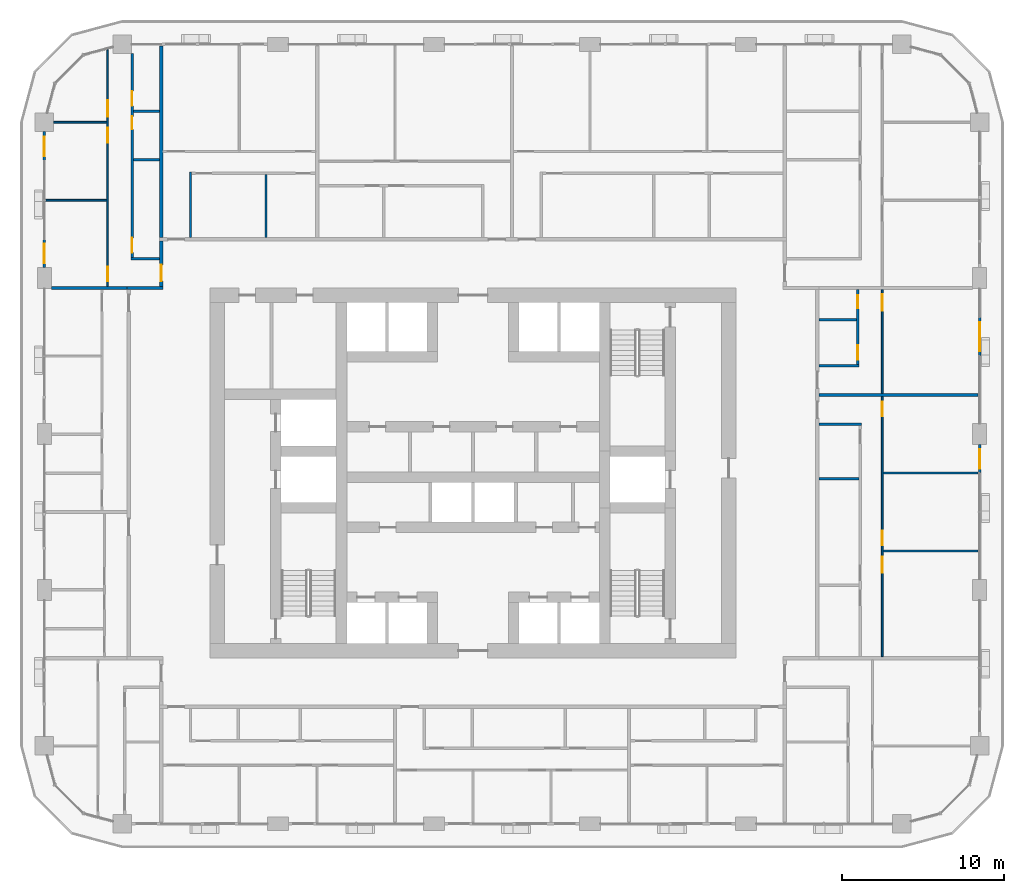
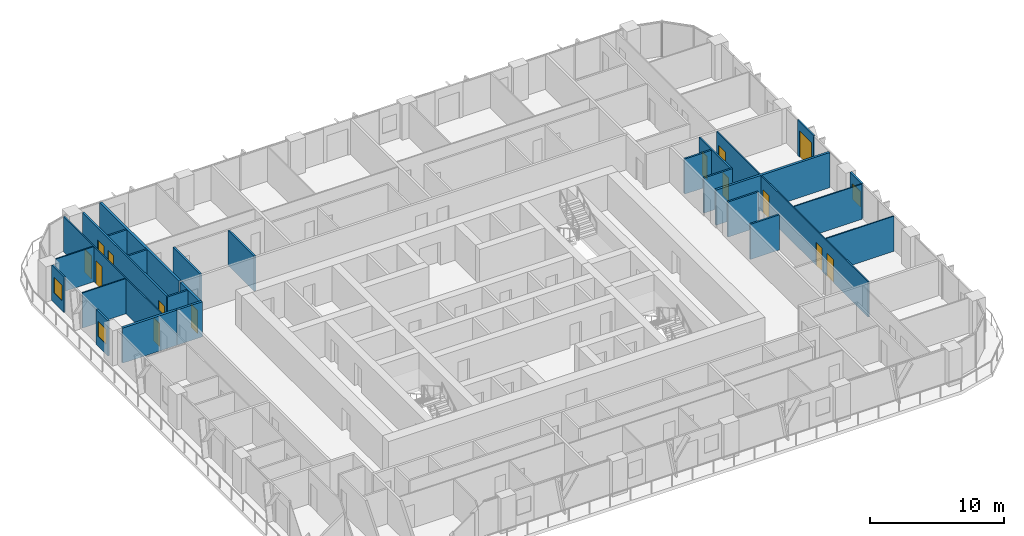
# One storey, part 13 of 22: 27 walls, 14 doors, 3 windows, 17 openings.
"""IFC4 building model written with IfcOpenShell, lengths in metres."""

from ifc_helpers import new_model, si_unit, direction, frame, frame_2d, origin, place, context, subcontext, project, spatial, rectangle, extrude, material, layer, layer_set, type_object, element, fill, save


model = new_model("IFC4")

# Units and contexts
model_context = context("Model", 3, precision=1e-05, world=origin(), true_north=direction((0.0, 1.0)))
body_context = subcontext(model_context, "Body", "Model", "MODEL_VIEW")
ifc_project = project(units=[si_unit("LENGTHUNIT", "METRE"), si_unit("AREAUNIT", "SQUARE_METRE"), si_unit("VOLUMEUNIT", "CUBIC_METRE"), si_unit("PLANEANGLEUNIT", "RADIAN"), si_unit("MASSUNIT", "GRAM", prefix="KILO")], contexts=[model_context])

# Site, building, storey
site_placement = place(None, origin())
site = spatial("IfcSite", under=ifc_project, at=site_placement, CompositionType="ELEMENT")
building_placement = place(site_placement, origin())
building = spatial("IfcBuilding", under=site, at=building_placement, Name="Madar Terraces", CompositionType="ELEMENT")
storey_placement = place(building_placement, frame((0.0, 0.0, 103.199951171875)))
storey = spatial("IfcBuildingStorey", under=building, at=storey_placement, Name="L26", CompositionType="ELEMENT", Elevation=103.199951171875)

# Wall, opening, window
ifc_material_1 = material(Name="Aluminium composite panel, black, over insulated backing", Category="aluminium")
ifc_layer_1 = layer(ifc_material_1, 0.14990234375)
ifc_layer_set_1 = layer_set([ifc_layer_1], Name="Facade bay panel 150")
wall_type_1 = type_object("IfcWallType", Name="Facade bay panel 150", PredefinedType="SOLIDWALL", material=ifc_layer_set_1)
wall_1_placement = place(storey_placement, frame((62.39990234375, 26.39990234375, 0.0), z_axis=(0.0, 0.0, 1.0), x_axis=(0.0, 1.0, 0.0)))
wall_1 = element("IfcWall", 1, at=wall_1_placement, inside=storey, type_object=wall_type_1, Name="Facade bay panel", PredefinedType="SOLIDWALL", context=body_context, shape_type="SweptSolid", body=[
    extrude(rectangle(XDim=1.75, YDim=0.14990234375, at=frame_2d((0.875, 0.0))), origin(), (0.0, 0.0, 1.0), 3.199951171875),
])
opening_1_placement = place(wall_1_placement, frame((0.27490234375, 0.0, 0.89990234375)))
opening_1 = element("IfcOpeningElement", 2, at=opening_1_placement, cuts=wall_1, Name="Opening W1", PredefinedType="OPENING", context=body_context, shape_type="SweptSolid", body=[
    extrude(rectangle(XDim=1.199951171875, YDim=1.39990234375, at=frame_2d((0.60009765625, 0.699951171875))), frame((0.0, 0.0849609375, 0.0), z_axis=(0.0, -1.0, 0.0), x_axis=(1.0, 0.0, 0.0)), (0.0, 0.0, 1.0), 0.169921875),
])
ifc_material_2 = material(Name="Glass, clear, with black aluminium frame", Category="aluminium")
window_type = type_object("IfcWindowType", Name="Vent window 1200 x 1400", PartitioningType="SINGLE_PANEL", PredefinedType="WINDOW", material=ifc_material_2)
window_1_placement = place(opening_1_placement, origin())
window_1 = element("IfcWindow", 3, at=window_1_placement, inside=storey, type_object=window_type, Name="Operable vent window", OverallHeight=1.39990234375, OverallWidth=1.199951171875, PartitioningType="SINGLE_PANEL", PredefinedType="WINDOW", context=body_context, shape_type="SweptSolid", body=[
    extrude(rectangle(XDim=1.199951171875, YDim=1.39990234375, at=frame_2d((0.60009765625, 0.699951171875))), frame((0.0, 0.030029296875, 0.0), z_axis=(0.0, -1.0, 0.0), x_axis=(1.0, 0.0, 0.0)), (0.0, 0.0, 1.0), 0.06005859375),
])
fill(opening_1, window_1)

# Wall, opening, door
wall_2_placement = place(storey_placement, frame((62.39990234375, 33.60009765625, 0.0), z_axis=(0.0, 0.0, 1.0), x_axis=(0.0, 1.0, 0.0)))
wall_2 = element("IfcWall", 4, at=wall_2_placement, inside=storey, type_object=wall_type_1, Name="Facade bay panel", PredefinedType="SOLIDWALL", context=body_context, shape_type="SweptSolid", body=[
    extrude(rectangle(XDim=2.39990234375, YDim=0.14990234375, at=frame_2d((1.199951171875, 0.0))), origin(), (0.0, 0.0, 1.0), 3.199951171875),
])
opening_2_placement = place(wall_2_placement, frame((0.300048828125, 0.0, 0.0)))
opening_2 = element("IfcOpeningElement", 5, at=opening_2_placement, cuts=wall_2, Name="Opening ED1", PredefinedType="OPENING", context=body_context, shape_type="SweptSolid", body=[
    extrude(rectangle(XDim=1.800048828125, YDim=2.39990234375, at=frame_2d((0.89990234375, 1.199951171875))), frame((0.0, 0.0849609375, 0.0), z_axis=(0.0, -1.0, 0.0), x_axis=(1.0, 0.0, 0.0)), (0.0, 0.0, 1.0), 0.169921875),
])
ifc_material_3 = material(Name="Glass, clear, with black aluminium frame", Category="aluminium")
door_type_1 = type_object("IfcDoorType", Name="Balcony and terrace sliding door 1800 x 2400", OperationType="SLIDING_TO_LEFT", PredefinedType="DOOR", material=ifc_material_3)
door_1_placement = place(opening_2_placement, origin())
door_1 = element("IfcDoor", 6, at=door_1_placement, inside=storey, type_object=door_type_1, Name="Balcony door", OperationType="SLIDING_TO_RIGHT", OverallHeight=2.39990234375, OverallWidth=1.800048828125, PredefinedType="DOOR", context=body_context, shape_type="SweptSolid", body=[
    extrude(rectangle(XDim=1.800048828125, YDim=2.39990234375, at=frame_2d((0.89990234375, 1.199951171875))), frame((0.0, 0.02490234375, 0.0), z_axis=(0.0, -1.0, 0.0), x_axis=(1.0, 0.0, 0.0)), (0.0, 0.0, 1.0), 0.050048828125),
])
fill(opening_2, door_1)

# Wall, opening, window
wall_3_placement = place(storey_placement, frame((4.800048828125, 47.425048828125, 0.0), z_axis=(0.0, 0.0, 1.0), x_axis=(0.0, -1.0, 0.0)))
wall_3 = element("IfcWall", 7, at=wall_3_placement, inside=storey, type_object=wall_type_1, Name="Facade bay panel", PredefinedType="SOLIDWALL", context=body_context, shape_type="SweptSolid", body=[
    extrude(rectangle(XDim=1.824951171875, YDim=0.14990234375, at=frame_2d((0.91259765625, 0.0))), origin(), (0.0, 0.0, 1.0), 3.199951171875),
])
opening_3_placement = place(wall_3_placement, frame((0.3125, 0.0, 0.89990234375)))
opening_3 = element("IfcOpeningElement", 8, at=opening_3_placement, cuts=wall_3, Name="Opening W1", PredefinedType="OPENING", context=body_context, shape_type="SweptSolid", body=[
    extrude(rectangle(XDim=1.199951171875, YDim=1.39990234375, at=frame_2d((0.60009765625, 0.699951171875))), frame((0.0, 0.0849609375, 0.0), z_axis=(0.0, -1.0, 0.0), x_axis=(1.0, 0.0, 0.0)), (0.0, 0.0, 1.0), 0.169921875),
])
window_2_placement = place(opening_3_placement, origin())
window_2 = element("IfcWindow", 9, at=window_2_placement, inside=storey, type_object=window_type, Name="Operable vent window", OverallHeight=1.39990234375, OverallWidth=1.199951171875, PartitioningType="SINGLE_PANEL", PredefinedType="WINDOW", context=body_context, shape_type="SweptSolid", body=[
    extrude(rectangle(XDim=1.199951171875, YDim=1.39990234375, at=frame_2d((0.60009765625, 0.699951171875))), frame((0.0, 0.030029296875, 0.0), z_axis=(0.0, -1.0, 0.0), x_axis=(1.0, 0.0, 0.0)), (0.0, 0.0, 1.0), 0.06005859375),
])
fill(opening_3, window_2)

wall_4_placement = place(storey_placement, frame((4.800048828125, 40.800048828125, 0.0), z_axis=(0.0, 0.0, 1.0), x_axis=(0.0, -1.0, 0.0)))
wall_4 = element("IfcWall", 10, at=wall_4_placement, inside=storey, type_object=wall_type_1, Name="Facade bay panel", PredefinedType="SOLIDWALL", context=body_context, shape_type="SweptSolid", body=[
    extrude(rectangle(XDim=1.75, YDim=0.14990234375, at=frame_2d((0.875, 0.0))), origin(), (0.0, 0.0, 1.0), 3.199951171875),
])
opening_4_placement = place(wall_4_placement, frame((0.27490234375, 0.0, 0.89990234375)))
opening_4 = element("IfcOpeningElement", 11, at=opening_4_placement, cuts=wall_4, Name="Opening W1", PredefinedType="OPENING", context=body_context, shape_type="SweptSolid", body=[
    extrude(rectangle(XDim=1.199951171875, YDim=1.39990234375, at=frame_2d((0.60009765625, 0.699951171875))), frame((0.0, 0.0849609375, 0.0), z_axis=(0.0, -1.0, 0.0), x_axis=(1.0, 0.0, 0.0)), (0.0, 0.0, 1.0), 0.169921875),
])
window_3_placement = place(opening_4_placement, origin())
window_3 = element("IfcWindow", 12, at=window_3_placement, inside=storey, type_object=window_type, Name="Operable vent window", OverallHeight=1.39990234375, OverallWidth=1.199951171875, PartitioningType="SINGLE_PANEL", PredefinedType="WINDOW", context=body_context, shape_type="SweptSolid", body=[
    extrude(rectangle(XDim=1.199951171875, YDim=1.39990234375, at=frame_2d((0.60009765625, 0.699951171875))), frame((0.0, 0.030029296875, 0.0), z_axis=(0.0, -1.0, 0.0), x_axis=(1.0, 0.0, 0.0)), (0.0, 0.0, 1.0), 0.06005859375),
])
fill(opening_4, window_3)

# Walls
ifc_material_4 = material(Name="Gypsum board on steel studs", Category="steel")
ifc_layer_2 = layer(ifc_material_4, 0.10009765625)
ifc_layer_set_2 = layer_set([ifc_layer_2], Name="Flat partition 100")
wall_type_2 = type_object("IfcWallType", Name="Flat partition 100", PredefinedType="PARTITIONING", material=ifc_layer_set_2)
for number, where, z_axis, x_axis, name in (
    (13, (56.449951171875, 26.39990234375, 0.0), (0.0, 0.0, 1.0), (1.0, 0.0, 0.0), "Flat partition 100"),
    (14, (56.449951171875, 21.60009765625, 0.0), (0.0, 0.0, 1.0), (1.0, 0.0, 0.0), "Flat partition 100"),
):
    element("IfcWall", number, at=place(storey_placement, frame(where, z_axis=z_axis, x_axis=x_axis)), inside=storey, type_object=wall_type_2, Name=name, PredefinedType="PARTITIONING", context=body_context, shape_type="SweptSolid", body=[
        extrude(rectangle(XDim=5.85009765625, YDim=0.10009765625, at=frame_2d((2.925048828125, 0.0))), origin(), (0.0, 0.0, 1.0), 3.199951171875),
    ])

# Wall, openings, doors
wall_5_placement = place(storey_placement, frame((56.39990234375, 31.10009765625, 0.0), z_axis=(0.0, 0.0, 1.0), x_axis=(0.0, -1.0, 0.0)))
wall_5 = element("IfcWall", 15, at=wall_5_placement, inside=storey, type_object=wall_type_2, Name="Flat partition 100", PredefinedType="PARTITIONING", context=body_context, shape_type="SweptSolid", body=[
    extrude(rectangle(XDim=16.0, YDim=0.10009765625, at=frame_2d((8.0, 0.0))), origin(), (0.0, 0.0, 1.0), 3.199951171875),
])
opening_5_placement = place(wall_5_placement, frame((0.300048828125, 0.0, 0.0)))
opening_5 = element("IfcOpeningElement", 16, at=opening_5_placement, cuts=wall_5, Name="Opening D2", PredefinedType="OPENING", context=body_context, shape_type="SweptSolid", body=[
    extrude(rectangle(XDim=0.89990234375, YDim=2.10009765625, at=frame_2d((0.449951171875, 1.050048828125))), frame((0.0, 0.06005859375, 0.0), z_axis=(0.0, -1.0, 0.0), x_axis=(1.0, 0.0, 0.0)), (0.0, 0.0, 1.0), 0.1201171875),
])
opening_6_placement = place(wall_5_placement, frame((8.25, 0.0, 0.0)))
opening_6 = element("IfcOpeningElement", 17, at=opening_6_placement, cuts=wall_5, Name="Opening D2", PredefinedType="OPENING", context=body_context, shape_type="SweptSolid", body=[
    extrude(rectangle(XDim=0.89990234375, YDim=2.10009765625, at=frame_2d((0.449951171875, 1.050048828125))), frame((0.0, 0.06005859375, 0.0), z_axis=(0.0, -1.0, 0.0), x_axis=(1.0, 0.0, 0.0)), (0.0, 0.0, 1.0), 0.1201171875),
])
opening_7_placement = place(wall_5_placement, frame((9.85009765625, 0.0, 0.0)))
opening_7 = element("IfcOpeningElement", 18, at=opening_7_placement, cuts=wall_5, Name="Opening D3", PredefinedType="OPENING", context=body_context, shape_type="SweptSolid", body=[
    extrude(rectangle(XDim=1.0, YDim=2.10009765625, at=frame_2d((0.5, 1.050048828125))), frame((0.0, 0.06005859375, 0.0), z_axis=(0.0, -1.0, 0.0), x_axis=(1.0, 0.0, 0.0)), (0.0, 0.0, 1.0), 0.1201171875),
])
ifc_material_5 = material(Name="Timber door leaf", Category="wood")
door_type_2 = type_object("IfcDoorType", Name="Flat living room door 1000", OperationType="NOTDEFINED", PredefinedType="DOOR", material=ifc_material_5)
door_2_placement = place(opening_7_placement, origin())
door_2 = element("IfcDoor", 19, at=door_2_placement, inside=storey, type_object=door_type_2, Name="Flat living room door 1000", OperationType="SINGLE_SWING_LEFT", OverallHeight=2.10009765625, OverallWidth=1.0, PredefinedType="DOOR", context=body_context, shape_type="SweptSolid", body=[
    extrude(rectangle(XDim=1.0, YDim=2.10009765625, at=frame_2d((0.5, 1.050048828125))), frame((0.0, 0.02490234375, 0.0), z_axis=(0.0, -1.0, 0.0), x_axis=(1.0, 0.0, 0.0)), (0.0, 0.0, 1.0), 0.050048828125),
])
fill(opening_7, door_2)
ifc_material_6 = material(Name="Timber door leaf", Category="wood")
door_type_3 = type_object("IfcDoorType", Name="Flat room door 900", OperationType="NOTDEFINED", PredefinedType="DOOR", material=ifc_material_6)
door_3_placement = place(opening_5_placement, origin())
door_3 = element("IfcDoor", 20, at=door_3_placement, inside=storey, type_object=door_type_3, Name="Flat room door 900", OperationType="SINGLE_SWING_LEFT", OverallHeight=2.10009765625, OverallWidth=0.89990234375, PredefinedType="DOOR", context=body_context, shape_type="SweptSolid", body=[
    extrude(rectangle(XDim=0.89990234375, YDim=2.10009765625, at=frame_2d((0.449951171875, 1.050048828125))), frame((0.0, 0.02490234375, 0.0), z_axis=(0.0, -1.0, 0.0), x_axis=(1.0, 0.0, 0.0)), (0.0, 0.0, 1.0), 0.050048828125),
])
fill(opening_5, door_3)
door_4_placement = place(opening_6_placement, origin())
door_4 = element("IfcDoor", 21, at=door_4_placement, inside=storey, type_object=door_type_3, Name="Flat room door 900", OperationType="SINGLE_SWING_RIGHT", OverallHeight=2.10009765625, OverallWidth=0.89990234375, PredefinedType="DOOR", context=body_context, shape_type="SweptSolid", body=[
    extrude(rectangle(XDim=0.89990234375, YDim=2.10009765625, at=frame_2d((0.449951171875, 1.050048828125))), frame((0.0, 0.02490234375, 0.0), z_axis=(0.0, -1.0, 0.0), x_axis=(1.0, 0.0, 0.0)), (0.0, 0.0, 1.0), 0.050048828125),
])
fill(opening_6, door_4)

# Wall, opening, door
wall_6_placement = place(storey_placement, frame((56.39990234375, 37.699951171875, 0.0), z_axis=(0.0, 0.0, 1.0), x_axis=(0.0, -1.0, 0.0)))
wall_6 = element("IfcWall", 22, at=wall_6_placement, inside=storey, type_object=wall_type_2, Name="Flat partition 100", PredefinedType="PARTITIONING", context=body_context, shape_type="SweptSolid", body=[
    extrude(rectangle(XDim=6.39990234375, YDim=0.10009765625, at=frame_2d((3.199951171875, 0.0))), origin(), (0.0, 0.0, 1.0), 3.199951171875),
])
opening_8_placement = place(wall_6_placement, frame((0.300048828125, 0.0, 0.0)))
opening_8 = element("IfcOpeningElement", 23, at=opening_8_placement, cuts=wall_6, Name="Opening D3", PredefinedType="OPENING", context=body_context, shape_type="SweptSolid", body=[
    extrude(rectangle(XDim=1.0, YDim=2.10009765625, at=frame_2d((0.5, 1.050048828125))), frame((0.0, 0.06005859375, 0.0), z_axis=(0.0, -1.0, 0.0), x_axis=(1.0, 0.0, 0.0)), (0.0, 0.0, 1.0), 0.1201171875),
])
door_5_placement = place(opening_8_placement, origin())
door_5 = element("IfcDoor", 24, at=door_5_placement, inside=storey, type_object=door_type_2, Name="Flat living room door 1000", OperationType="SINGLE_SWING_LEFT", OverallHeight=2.10009765625, OverallWidth=1.0, PredefinedType="DOOR", context=body_context, shape_type="SweptSolid", body=[
    extrude(rectangle(XDim=1.0, YDim=2.10009765625, at=frame_2d((0.5, 1.050048828125))), frame((0.0, 0.02490234375, 0.0), z_axis=(0.0, -1.0, 0.0), x_axis=(1.0, 0.0, 0.0)), (0.0, 0.0, 1.0), 0.050048828125),
])
fill(opening_8, door_5)

# Walls
wall_7_placement = place(storey_placement, frame((8.64990234375, 43.199951171875, 0.0), z_axis=(0.0, 0.0, 1.0), x_axis=(-1.0, 0.0, 0.0)))
element("IfcWall", 25, at=wall_7_placement, inside=storey, type_object=wall_type_2, Name="Flat partition 100", PredefinedType="PARTITIONING", context=body_context, shape_type="SweptSolid", body=[
    extrude(rectangle(XDim=3.75, YDim=0.10009765625, at=frame_2d((1.875, 0.0))), origin(), (0.0, 0.0, 1.0), 3.199951171875),
])
wall_8_placement = place(storey_placement, frame((8.64990234375, 48.0, 0.0), z_axis=(0.0, 0.0, 1.0), x_axis=(-1.0, 0.0, 0.0)))
element("IfcWall", 26, at=wall_8_placement, inside=storey, type_object=wall_type_2, Name="Flat partition 100", PredefinedType="PARTITIONING", context=body_context, shape_type="SweptSolid", body=[
    extrude(rectangle(XDim=3.27490234375, YDim=0.10009765625, at=frame_2d((1.637451171875, 0.0))), origin(), (0.0, 0.0, 1.0), 3.199951171875),
])

# Wall, openings, doors
wall_9_placement = place(storey_placement, frame((8.699951171875, 37.89990234375, 0.0), z_axis=(0.0, 0.0, 1.0), x_axis=(0.0, 1.0, 0.0)))
wall_9 = element("IfcWall", 27, at=wall_9_placement, inside=storey, type_object=wall_type_2, Name="Flat partition 100", PredefinedType="PARTITIONING", context=body_context, shape_type="SweptSolid", body=[
    extrude(rectangle(XDim=14.558837890625, YDim=0.10009765625, at=frame_2d((7.279296875, 0.0))), origin(), (0.0, 0.0, 1.0), 3.199951171875),
])
opening_9_placement = place(wall_9_placement, frame((0.300048828125, 0.0, 0.0)))
opening_9 = element("IfcOpeningElement", 28, at=opening_9_placement, cuts=wall_9, Name="Opening D2", PredefinedType="OPENING", context=body_context, shape_type="SweptSolid", body=[
    extrude(rectangle(XDim=0.89990234375, YDim=2.10009765625, at=frame_2d((0.449951171875, 1.050048828125))), frame((0.0, 0.06005859375, 0.0), z_axis=(0.0, -1.0, 0.0), x_axis=(1.0, 0.0, 0.0)), (0.0, 0.0, 1.0), 0.1201171875),
])
opening_10_placement = place(wall_9_placement, frame((8.85009765625, 0.0, 0.0)))
opening_10 = element("IfcOpeningElement", 29, at=opening_10_placement, cuts=wall_9, Name="Opening D2", PredefinedType="OPENING", context=body_context, shape_type="SweptSolid", body=[
    extrude(rectangle(XDim=0.89990234375, YDim=2.10009765625, at=frame_2d((0.449951171875, 1.050048828125))), frame((0.0, 0.06005859375, 0.0), z_axis=(0.0, -1.0, 0.0), x_axis=(1.0, 0.0, 0.0)), (0.0, 0.0, 1.0), 0.1201171875),
])
opening_11_placement = place(wall_9_placement, frame((10.449951171875, 0.0, 0.0)))
opening_11 = element("IfcOpeningElement", 30, at=opening_11_placement, cuts=wall_9, Name="Opening D3", PredefinedType="OPENING", context=body_context, shape_type="SweptSolid", body=[
    extrude(rectangle(XDim=1.0, YDim=2.10009765625, at=frame_2d((0.5, 1.050048828125))), frame((0.0, 0.06005859375, 0.0), z_axis=(0.0, -1.0, 0.0), x_axis=(1.0, 0.0, 0.0)), (0.0, 0.0, 1.0), 0.1201171875),
])
door_6_placement = place(opening_11_placement, origin())
door_6 = element("IfcDoor", 31, at=door_6_placement, inside=storey, type_object=door_type_2, Name="Flat living room door 1000", OperationType="SINGLE_SWING_LEFT", OverallHeight=2.10009765625, OverallWidth=1.0, PredefinedType="DOOR", context=body_context, shape_type="SweptSolid", body=[
    extrude(rectangle(XDim=1.0, YDim=2.10009765625, at=frame_2d((0.5, 1.050048828125))), frame((0.0, 0.02490234375, 0.0), z_axis=(0.0, -1.0, 0.0), x_axis=(1.0, 0.0, 0.0)), (0.0, 0.0, 1.0), 0.050048828125),
])
fill(opening_11, door_6)
door_7_placement = place(opening_9_placement, origin())
door_7 = element("IfcDoor", 32, at=door_7_placement, inside=storey, type_object=door_type_3, Name="Flat room door 900", OperationType="SINGLE_SWING_LEFT", OverallHeight=2.10009765625, OverallWidth=0.89990234375, PredefinedType="DOOR", context=body_context, shape_type="SweptSolid", body=[
    extrude(rectangle(XDim=0.89990234375, YDim=2.10009765625, at=frame_2d((0.449951171875, 1.050048828125))), frame((0.0, 0.02490234375, 0.0), z_axis=(0.0, -1.0, 0.0), x_axis=(1.0, 0.0, 0.0)), (0.0, 0.0, 1.0), 0.050048828125),
])
fill(opening_9, door_7)
door_8_placement = place(opening_10_placement, origin())
door_8 = element("IfcDoor", 33, at=door_8_placement, inside=storey, type_object=door_type_3, Name="Flat room door 900", OperationType="SINGLE_SWING_RIGHT", OverallHeight=2.10009765625, OverallWidth=0.89990234375, PredefinedType="DOOR", context=body_context, shape_type="SweptSolid", body=[
    extrude(rectangle(XDim=0.89990234375, YDim=2.10009765625, at=frame_2d((0.449951171875, 1.050048828125))), frame((0.0, 0.02490234375, 0.0), z_axis=(0.0, -1.0, 0.0), x_axis=(1.0, 0.0, 0.0)), (0.0, 0.0, 1.0), 0.050048828125),
])
fill(opening_10, door_8)

# Wall, opening, door
ifc_material_7 = material(Name="Lightweight blockwork", Category="masonry")
ifc_layer_3 = layer(ifc_material_7, 0.199951171875)
ifc_layer_set_3 = layer_set([ifc_layer_3], Name="Flat party and entrance wall 200")
wall_type_3 = type_object("IfcWallType", Name="Flat party and entrance wall 200", PredefinedType="PARTITIONING", material=ifc_layer_set_3)
wall_10_placement = place(storey_placement, frame((12.0, 37.89990234375, 0.0), z_axis=(0.0, 0.0, 1.0), x_axis=(0.0, 1.0, 0.0)))
wall_10 = element("IfcWall", 34, at=wall_10_placement, inside=storey, type_object=wall_type_3, Name="Flat party and entrance wall 200", PredefinedType="PARTITIONING", context=body_context, shape_type="SweptSolid", body=[
    extrude(rectangle(XDim=2.800048828125, YDim=0.199951171875, at=frame_2d((1.39990234375, 0.0))), origin(), (0.0, 0.0, 1.0), 3.199951171875),
])
opening_12_placement = place(wall_10_placement, frame((0.324951171875, 0.0, 0.0)))
opening_12 = element("IfcOpeningElement", 35, at=opening_12_placement, cuts=wall_10, Name="Opening D1", PredefinedType="OPENING", context=body_context, shape_type="SweptSolid", body=[
    extrude(rectangle(XDim=1.0, YDim=2.10009765625, at=frame_2d((0.5, 1.050048828125))), frame((0.0, 0.10986328125, 0.0), z_axis=(0.0, -1.0, 0.0), x_axis=(1.0, 0.0, 0.0)), (0.0, 0.0, 1.0), 0.219970703125),
])
ifc_material_8 = material(Name="Timber fire door leaf", Category="wood")
door_type_4 = type_object("IfcDoorType", Name="Flat entrance door 1000 FD30S", OperationType="NOTDEFINED", PredefinedType="DOOR", material=ifc_material_8)
door_9_placement = place(opening_12_placement, origin())
door_9 = element("IfcDoor", 36, at=door_9_placement, inside=storey, type_object=door_type_4, Name="Flat entrance door 1000 FD30S", OperationType="SINGLE_SWING_LEFT", OverallHeight=2.10009765625, OverallWidth=1.0, PredefinedType="DOOR", context=body_context, shape_type="SweptSolid", body=[
    extrude(rectangle(XDim=1.0, YDim=2.10009765625, at=frame_2d((0.5, 1.050048828125))), frame((0.0, 0.02490234375, 0.0), z_axis=(0.0, -1.0, 0.0), x_axis=(1.0, 0.0, 0.0)), (0.0, 0.0, 1.0), 0.050048828125),
])
fill(opening_12, door_9)

# Walls
wall_11_placement = place(storey_placement, frame((12.10009765625, 37.800048828125, 0.0), z_axis=(0.0, 0.0, 1.0), x_axis=(-1.0, 0.0, 0.0)))
element("IfcWall", 37, at=wall_11_placement, inside=storey, type_object=wall_type_3, Name="Flat party and entrance wall 200", PredefinedType="PARTITIONING", context=body_context, shape_type="SweptSolid", body=[
    extrude(rectangle(XDim=2.2001953125, YDim=0.199951171875, at=frame_2d((1.10009765625, 0.0))), origin(), (0.0, 0.0, 1.0), 3.199951171875),
])
wall_12_placement = place(storey_placement, frame((52.5, 31.199951171875, 0.0), z_axis=(0.0, 0.0, 1.0), x_axis=(1.0, 0.0, 0.0)))
element("IfcWall", 38, at=wall_12_placement, inside=storey, type_object=wall_type_3, Name="Flat party and entrance wall 200", PredefinedType="PARTITIONING", context=body_context, shape_type="SweptSolid", body=[
    extrude(rectangle(XDim=9.800048828125, YDim=0.199951171875, at=frame_2d((4.89990234375, 0.0))), origin(), (0.0, 0.0, 1.0), 3.199951171875),
])
wall_13_placement = place(storey_placement, frame((12.0, 52.699951171875, 0.0), z_axis=(0.0, 0.0, 1.0), x_axis=(0.0, -1.0, 0.0)))
element("IfcWall", 39, at=wall_13_placement, inside=storey, type_object=wall_type_3, Name="Flat party and entrance wall 200", PredefinedType="PARTITIONING", context=body_context, shape_type="SweptSolid", body=[
    extrude(rectangle(XDim=11.800048828125, YDim=0.199951171875, at=frame_2d((5.89990234375, 0.0))), origin(), (0.0, 0.0, 1.0), 3.199951171875),
])
wall_14_placement = place(storey_placement, frame((5.22509765625, 37.800048828125, 0.0), z_axis=(0.0, 0.0, 1.0), x_axis=(1.0, 0.0, 0.0)))
element("IfcWall", 40, at=wall_14_placement, inside=storey, type_object=wall_type_3, Name="Flat party and entrance wall 200", PredefinedType="PARTITIONING", context=body_context, shape_type="SweptSolid", body=[
    extrude(rectangle(XDim=4.6748046875, YDim=0.199951171875, at=frame_2d((2.33740234375, 0.0))), origin(), (0.0, 0.0, 1.0), 3.199951171875),
])
ifc_material_9 = material(Name="Lightweight blockwork", Category="masonry")
ifc_layer_4 = layer(ifc_material_9, 0.14990234375)
ifc_layer_set_4 = layer_set([ifc_layer_4], Name="Flat wet-room partition 150")
wall_type_4 = type_object("IfcWallType", Name="Flat wet-room partition 150", PredefinedType="PARTITIONING", material=ifc_layer_set_4)
wall_15_placement = place(storey_placement, frame((52.5, 26.042236328125, 0.0), z_axis=(0.0, 0.0, 1.0), x_axis=(1.0, 0.0, 0.0)))
element("IfcWall", 41, at=wall_15_placement, inside=storey, type_object=wall_type_4, Name="Flat wet-room partition 150", PredefinedType="PARTITIONING", context=body_context, shape_type="SweptSolid", body=[
    extrude(rectangle(XDim=2.47509765625, YDim=0.14990234375, at=frame_2d((1.237548828125, 0.0))), origin(), (0.0, 0.0, 1.0), 3.199951171875),
])
wall_16_placement = place(storey_placement, frame((52.5, 29.39990234375, 0.0), z_axis=(0.0, 0.0, 1.0), x_axis=(1.0, 0.0, 0.0)))
element("IfcWall", 42, at=wall_16_placement, inside=storey, type_object=wall_type_4, Name="Flat wet-room partition 150", PredefinedType="PARTITIONING", context=body_context, shape_type="SweptSolid", body=[
    extrude(rectangle(XDim=2.625, YDim=0.14990234375, at=frame_2d((1.3125, 0.0))), origin(), (0.0, 0.0, 1.0), 3.199951171875),
])
wall_17_placement = place(storey_placement, frame((52.5, 35.85009765625, 0.0), z_axis=(0.0, 0.0, 1.0), x_axis=(1.0, 0.0, 0.0)))
element("IfcWall", 43, at=wall_17_placement, inside=storey, type_object=wall_type_4, Name="Flat wet-room partition 150", PredefinedType="PARTITIONING", context=body_context, shape_type="SweptSolid", body=[
    extrude(rectangle(XDim=2.324951171875, YDim=0.14990234375, at=frame_2d((1.16259765625, 0.0))), origin(), (0.0, 0.0, 1.0), 3.199951171875),
])
wall_18_placement = place(storey_placement, frame((52.5, 33.0, 0.0), z_axis=(0.0, 0.0, 1.0), x_axis=(1.0, 0.0, 0.0)))
element("IfcWall", 44, at=wall_18_placement, inside=storey, type_object=wall_type_4, Name="Flat wet-room partition 150", PredefinedType="PARTITIONING", context=body_context, shape_type="SweptSolid", body=[
    extrude(rectangle(XDim=2.47509765625, YDim=0.14990234375, at=frame_2d((1.237548828125, 0.0))), origin(), (0.0, 0.0, 1.0), 3.199951171875),
])

# Wall, openings, doors
wall_19_placement = place(storey_placement, frame((54.89990234375, 33.074951171875, 0.0), z_axis=(0.0, 0.0, 1.0), x_axis=(0.0, 1.0, 0.0)))
wall_19 = element("IfcWall", 45, at=wall_19_placement, inside=storey, type_object=wall_type_4, Name="Flat wet-room partition 150", PredefinedType="PARTITIONING", context=body_context, shape_type="SweptSolid", body=[
    extrude(rectangle(XDim=4.625, YDim=0.14990234375, at=frame_2d((2.3125, 0.0))), origin(), (0.0, 0.0, 1.0), 3.199951171875),
])
opening_13_placement = place(wall_19_placement, frame((0.300048828125, 0.0, 0.0)))
opening_13 = element("IfcOpeningElement", 46, at=opening_13_placement, cuts=wall_19, Name="Opening D2", PredefinedType="OPENING", context=body_context, shape_type="SweptSolid", body=[
    extrude(rectangle(XDim=0.89990234375, YDim=2.10009765625, at=frame_2d((0.449951171875, 1.050048828125))), frame((0.0, 0.0849609375, 0.0), z_axis=(0.0, -1.0, 0.0), x_axis=(1.0, 0.0, 0.0)), (0.0, 0.0, 1.0), 0.169921875),
])
opening_14_placement = place(wall_19_placement, frame((3.47509765625, 0.0, 0.0)))
opening_14 = element("IfcOpeningElement", 47, at=opening_14_placement, cuts=wall_19, Name="Opening D4", PredefinedType="OPENING", context=body_context, shape_type="SweptSolid", body=[
    extrude(rectangle(XDim=0.800048828125, YDim=2.10009765625, at=frame_2d((0.39990234375, 1.050048828125))), frame((0.0, 0.0849609375, 0.0), z_axis=(0.0, -1.0, 0.0), x_axis=(1.0, 0.0, 0.0)), (0.0, 0.0, 1.0), 0.169921875),
])
ifc_material_10 = material(Name="Timber door leaf", Category="wood")
door_type_5 = type_object("IfcDoorType", Name="Flat bathroom door 800", OperationType="NOTDEFINED", PredefinedType="DOOR", material=ifc_material_10)
door_10_placement = place(opening_14_placement, origin())
door_10 = element("IfcDoor", 48, at=door_10_placement, inside=storey, type_object=door_type_5, Name="Flat bathroom door 800", OperationType="SINGLE_SWING_RIGHT", OverallHeight=2.10009765625, OverallWidth=0.800048828125, PredefinedType="DOOR", context=body_context, shape_type="SweptSolid", body=[
    extrude(rectangle(XDim=0.800048828125, YDim=2.10009765625, at=frame_2d((0.39990234375, 1.050048828125))), frame((0.0, 0.02490234375, 0.0), z_axis=(0.0, -1.0, 0.0), x_axis=(1.0, 0.0, 0.0)), (0.0, 0.0, 1.0), 0.050048828125),
])
fill(opening_14, door_10)
door_11_placement = place(opening_13_placement, origin())
door_11 = element("IfcDoor", 49, at=door_11_placement, inside=storey, type_object=door_type_3, Name="Flat room door 900", OperationType="SINGLE_SWING_LEFT", OverallHeight=2.10009765625, OverallWidth=0.89990234375, PredefinedType="DOOR", context=body_context, shape_type="SweptSolid", body=[
    extrude(rectangle(XDim=0.89990234375, YDim=2.10009765625, at=frame_2d((0.449951171875, 1.050048828125))), frame((0.0, 0.02490234375, 0.0), z_axis=(0.0, -1.0, 0.0), x_axis=(1.0, 0.0, 0.0)), (0.0, 0.0, 1.0), 0.050048828125),
])
fill(opening_13, door_11)

# Walls
wall_20_placement = place(storey_placement, frame((18.449951171875, 40.89990234375, 0.0), z_axis=(0.0, 0.0, 1.0), x_axis=(0.0, 1.0, 0.0)))
element("IfcWall", 50, at=wall_20_placement, inside=storey, type_object=wall_type_4, Name="Flat wet-room partition 150", PredefinedType="PARTITIONING", context=body_context, shape_type="SweptSolid", body=[
    extrude(rectangle(XDim=3.875, YDim=0.14990234375, at=frame_2d((1.9375, 0.0))), origin(), (0.0, 0.0, 1.0), 3.199951171875),
])
wall_21_placement = place(storey_placement, frame((13.800048828125, 40.89990234375, 0.0), z_axis=(0.0, 0.0, 1.0), x_axis=(0.0, 1.0, 0.0)))
element("IfcWall", 51, at=wall_21_placement, inside=storey, type_object=wall_type_4, Name="Flat wet-room partition 150", PredefinedType="PARTITIONING", context=body_context, shape_type="SweptSolid", body=[
    extrude(rectangle(XDim=4.025146484375, YDim=0.14990234375, at=frame_2d((2.0126953125, 0.0))), origin(), (0.0, 0.0, 1.0), 3.199951171875),
])
for number, where, z_axis, x_axis, name in (
    (52, (11.89990234375, 45.6865234375, 0.0), (0.0, 0.0, 1.0), (-1.0, 0.0, 0.0), "Flat wet-room partition 150"),
    (53, (11.89990234375, 48.6923828125, 0.0), (0.0, 0.0, 1.0), (-1.0, 0.0, 0.0), "Flat wet-room partition 150"),
):
    element("IfcWall", number, at=place(storey_placement, frame(where, z_axis=z_axis, x_axis=x_axis)), inside=storey, type_object=wall_type_4, Name=name, PredefinedType="PARTITIONING", context=body_context, shape_type="SweptSolid", body=[
        extrude(rectangle(XDim=1.625, YDim=0.14990234375, at=frame_2d((0.8125, 0.0))), origin(), (0.0, 0.0, 1.0), 3.199951171875),
    ])
wall_22_placement = place(storey_placement, frame((11.89990234375, 39.60009765625, 0.0), z_axis=(0.0, 0.0, 1.0), x_axis=(-1.0, 0.0, 0.0)))
element("IfcWall", 54, at=wall_22_placement, inside=storey, type_object=wall_type_4, Name="Flat wet-room partition 150", PredefinedType="PARTITIONING", context=body_context, shape_type="SweptSolid", body=[
    extrude(rectangle(XDim=1.77490234375, YDim=0.14990234375, at=frame_2d((0.887451171875, 0.0))), origin(), (0.0, 0.0, 1.0), 3.199951171875),
])

# Wall, openings, doors
wall_23_placement = place(storey_placement, frame((10.199951171875, 52.22509765625, 0.0), z_axis=(0.0, 0.0, 1.0), x_axis=(0.0, -1.0, 0.0)))
wall_23 = element("IfcWall", 55, at=wall_23_placement, inside=storey, type_object=wall_type_4, Name="Flat wet-room partition 150", PredefinedType="PARTITIONING", context=body_context, shape_type="SweptSolid", body=[
    extrude(rectangle(XDim=12.550048828125, YDim=0.14990234375, at=frame_2d((6.27490234375, 0.0))), origin(), (0.0, 0.0, 1.0), 3.199951171875),
])
opening_15_placement = place(wall_23_placement, frame((11.35009765625, 0.0, 0.0)))
opening_15 = element("IfcOpeningElement", 56, at=opening_15_placement, cuts=wall_23, Name="Opening D2", PredefinedType="OPENING", context=body_context, shape_type="SweptSolid", body=[
    extrude(rectangle(XDim=0.89990234375, YDim=2.10009765625, at=frame_2d((0.449951171875, 1.050048828125))), frame((0.0, 0.0849609375, 0.0), z_axis=(0.0, -1.0, 0.0), x_axis=(1.0, 0.0, 0.0)), (0.0, 0.0, 1.0), 0.169921875),
])
opening_16_placement = place(wall_23_placement, frame((3.857666015625, 0.0, 0.0)))
opening_16 = element("IfcOpeningElement", 57, at=opening_16_placement, cuts=wall_23, Name="Opening D4", PredefinedType="OPENING", context=body_context, shape_type="SweptSolid", body=[
    extrude(rectangle(XDim=0.800048828125, YDim=2.10009765625, at=frame_2d((0.39990234375, 1.050048828125))), frame((0.0, 0.0849609375, 0.0), z_axis=(0.0, -1.0, 0.0), x_axis=(1.0, 0.0, 0.0)), (0.0, 0.0, 1.0), 0.169921875),
])
opening_17_placement = place(wall_23_placement, frame((2.3076171875, 0.0, 0.0)))
opening_17 = element("IfcOpeningElement", 58, at=opening_17_placement, cuts=wall_23, Name="Opening D5", PredefinedType="OPENING", context=body_context, shape_type="SweptSolid", body=[
    extrude(rectangle(XDim=0.89990234375, YDim=2.10009765625, at=frame_2d((0.449951171875, 1.050048828125))), frame((0.0, 0.0849609375, 0.0), z_axis=(0.0, -1.0, 0.0), x_axis=(1.0, 0.0, 0.0)), (0.0, 0.0, 1.0), 0.169921875),
])
ifc_material_11 = material(Name="Timber door leaf", Category="wood")
door_type_6 = type_object("IfcDoorType", Name="Flat accessible bathroom door 900", OperationType="NOTDEFINED", PredefinedType="DOOR", material=ifc_material_11)
door_12_placement = place(opening_17_placement, origin())
door_12 = element("IfcDoor", 59, at=door_12_placement, inside=storey, type_object=door_type_6, Name="Flat accessible bathroom door 900", OperationType="SINGLE_SWING_RIGHT", OverallHeight=2.10009765625, OverallWidth=0.89990234375, PredefinedType="DOOR", context=body_context, shape_type="SweptSolid", body=[
    extrude(rectangle(XDim=0.89990234375, YDim=2.10009765625, at=frame_2d((0.449951171875, 1.050048828125))), frame((0.0, 0.02490234375, 0.0), z_axis=(0.0, -1.0, 0.0), x_axis=(1.0, 0.0, 0.0)), (0.0, 0.0, 1.0), 0.050048828125),
])
fill(opening_17, door_12)
door_13_placement = place(opening_16_placement, origin())
door_13 = element("IfcDoor", 60, at=door_13_placement, inside=storey, type_object=door_type_5, Name="Flat bathroom door 800", OperationType="SINGLE_SWING_LEFT", OverallHeight=2.10009765625, OverallWidth=0.800048828125, PredefinedType="DOOR", context=body_context, shape_type="SweptSolid", body=[
    extrude(rectangle(XDim=0.800048828125, YDim=2.10009765625, at=frame_2d((0.39990234375, 1.050048828125))), frame((0.0, 0.02490234375, 0.0), z_axis=(0.0, -1.0, 0.0), x_axis=(1.0, 0.0, 0.0)), (0.0, 0.0, 1.0), 0.050048828125),
])
fill(opening_16, door_13)
door_14_placement = place(opening_15_placement, origin())
door_14 = element("IfcDoor", 61, at=door_14_placement, inside=storey, type_object=door_type_3, Name="Flat room door 900", OperationType="SINGLE_SWING_RIGHT", OverallHeight=2.10009765625, OverallWidth=0.89990234375, PredefinedType="DOOR", context=body_context, shape_type="SweptSolid", body=[
    extrude(rectangle(XDim=0.89990234375, YDim=2.10009765625, at=frame_2d((0.449951171875, 1.050048828125))), frame((0.0, 0.02490234375, 0.0), z_axis=(0.0, -1.0, 0.0), x_axis=(1.0, 0.0, 0.0)), (0.0, 0.0, 1.0), 0.050048828125),
])
fill(opening_15, door_14)

save(model, "model.ifc")
